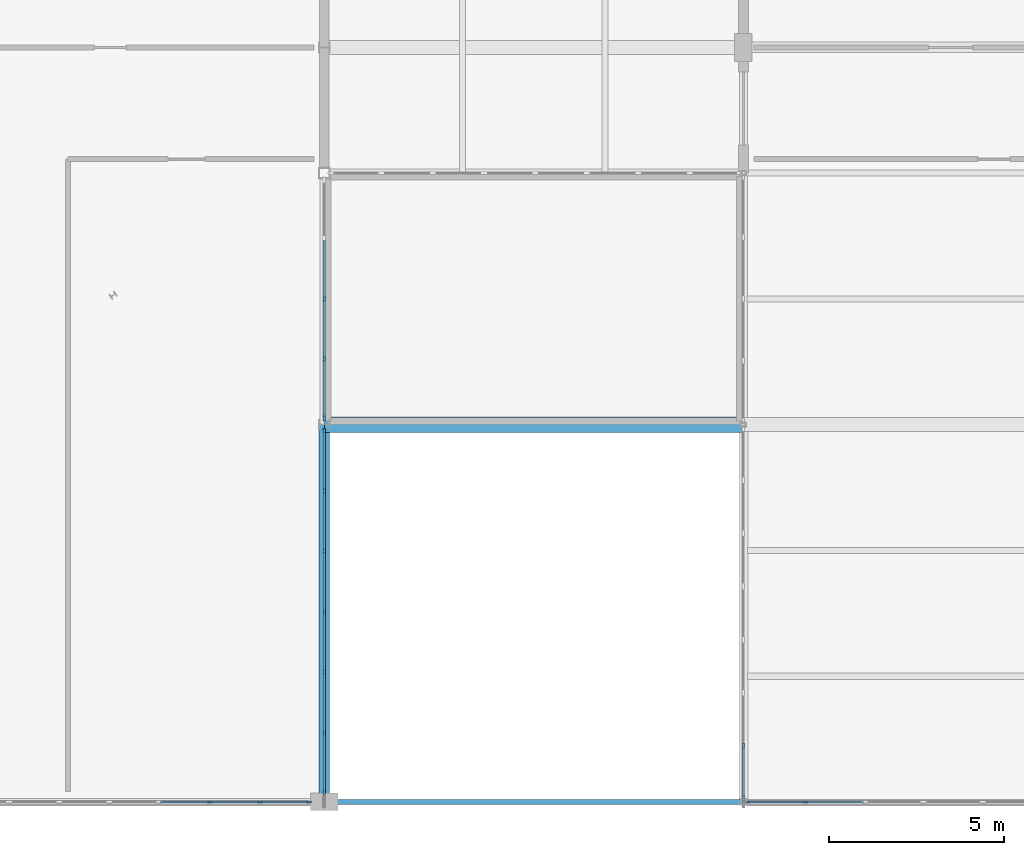
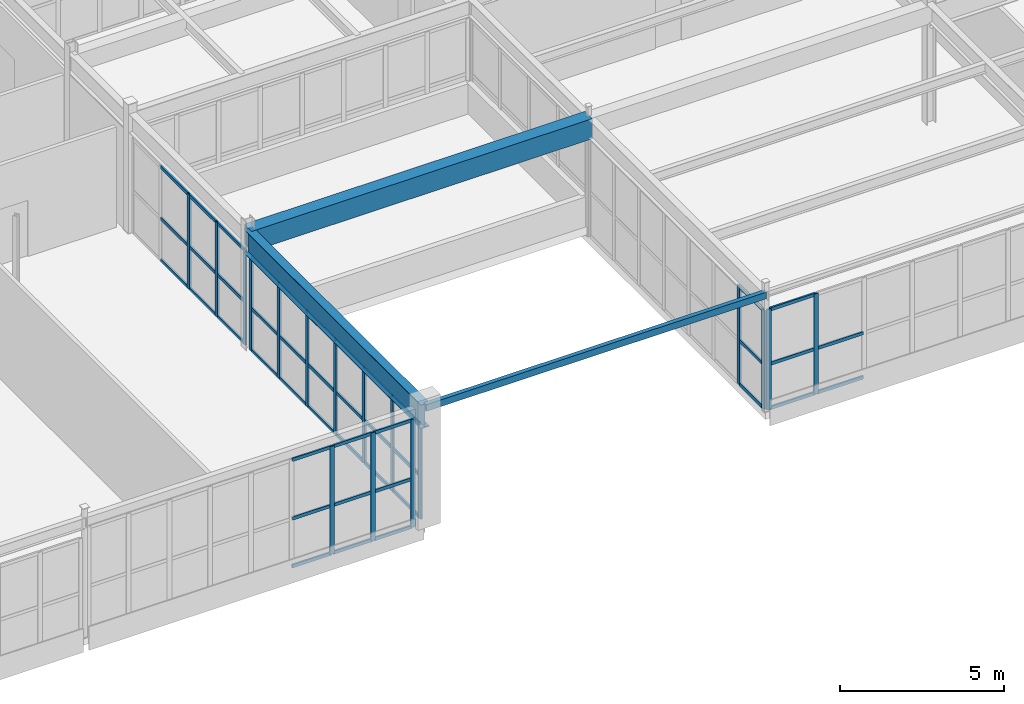
# One storey, part 105 of 226: 61 members, 3 beams, 5 elements without a shape of their own.
"""IFC4 building model written with IfcOpenShell, lengths in metres."""

from ifc_helpers import new_model, si_unit, direction, frame, origin, origin_2d, place, context, subcontext, project, spatial, rectangle, hollow_rectangle, i_section, extrude, material, layer, layer_set, material_profile, profile_set, type_object, element, aggregate, save


model = new_model("IFC4")

# Units and contexts
model_context = context("Model", 3, precision=1e-05, world=origin(), true_north=direction((0.0, 1.0)))
body_context = subcontext(model_context, "Body", "Model", "MODEL_VIEW")
ifc_project = project(units=[si_unit("LENGTHUNIT", "METRE"), si_unit("AREAUNIT", "SQUARE_METRE"), si_unit("VOLUMEUNIT", "CUBIC_METRE"), si_unit("PLANEANGLEUNIT", "RADIAN"), si_unit("MASSUNIT", "GRAM", prefix="KILO")], contexts=[model_context])

# Site, building, storey
site_placement = place(None, origin())
site = spatial("IfcSite", under=ifc_project, at=site_placement, CompositionType="ELEMENT")
building_placement = place(site_placement, origin())
building = spatial("IfcBuilding", under=site, at=building_placement, Name="Tarnwether General Hospital", CompositionType="ELEMENT")
storey_placement = place(building_placement, frame((0.0, 0.0, 4.800048828125)))
storey = spatial("IfcBuildingStorey", under=building, at=storey_placement, Name="L01", CompositionType="ELEMENT", Elevation=4.800048828125)

# Beams
ifc_material_1 = material(Name="Steel Grade 350 (350 MPa)", Category="steel")
ifc_material_profile_1 = material_profile(ifc_material_1, i_section(OverallWidth=0.300048828125, OverallDepth=0.89990234375, WebThickness=0.011962890625, FlangeThickness=0.02001953125, at=origin_2d()), Name="900WB175")
ifc_profile_set_1 = profile_set([ifc_material_profile_1], Name="Steel Grade 350 (350 MPa)")
beam_type_1 = type_object("IfcBeamType", Name="BM-G01", PredefinedType="BEAM", material=ifc_profile_set_1)
beam_1_placement = place(storey_placement, frame((132.0, 0.0, 3.994873046875), z_axis=(0.0, 1.0, 0.0), x_axis=(-1.0, 0.0, 0.0)))
element("IfcBeam", 1, at=beam_1_placement, inside=storey, type_object=beam_type_1, Name="Primary Girder BMG-L01-13200_0-13200_1080-1193", PredefinedType="BEAM", context=body_context, shape_type="SweptSolid", body=[
    extrude(i_section(OverallWidth=0.300048828125, OverallDepth=0.89990234375, WebThickness=0.011962890625, FlangeThickness=0.02001953125, at=origin_2d()), origin(), (0.0, 0.0, 1.0), 10.800048828125),
])
ifc_material_2 = material(Name="Concrete 40 MPa", Category="concrete")
ifc_material_profile_2 = material_profile(ifc_material_2, rectangle(XDim=0.449951171875, YDim=0.75, at=origin_2d()), Name="RC-BM-450x750")
ifc_profile_set_2 = profile_set([ifc_material_profile_2], Name="Concrete 40 MPa")
beam_type_2 = type_object("IfcBeamType", Name="BM-G13", PredefinedType="BEAM", material=ifc_profile_set_2)
beam_2_placement = place(storey_placement, frame((132.0, 10.800048828125, 4.070068359375), z_axis=(1.0, 0.0, 0.0), x_axis=(0.0, 1.0, 0.0)))
element("IfcBeam", 2, at=beam_2_placement, inside=storey, type_object=beam_type_2, Name="Primary Girder BMG-L01-13200_1080-14400_1080-1194", PredefinedType="BEAM", context=body_context, shape_type="SweptSolid", body=[
    extrude(rectangle(XDim=0.449951171875, YDim=0.75, at=origin_2d()), origin(), (0.0, 0.0, 1.0), 12.0),
])
ifc_material_3 = material(Name="Steel Grade C350L0 (350 MPa)", Category="steel")
ifc_material_profile_3 = material_profile(ifc_material_3, hollow_rectangle(XDim=0.14990234375, YDim=0.25, WallThickness=0.010009765625, at=origin_2d()), Name="RHS250x150x10")
ifc_profile_set_3 = profile_set([ifc_material_profile_3], Name="Steel Grade C350L0 (350 MPa)")
beam_type_3 = type_object("IfcBeamType", Name="BM-SP4", PredefinedType="SPANDREL", material=ifc_profile_set_3)
beam_3_placement = place(storey_placement, frame((132.0, 0.0, 4.320068359375), z_axis=(1.0, 0.0, 0.0), x_axis=(0.0, 1.0, 0.0)))
element("IfcBeam", 3, at=beam_3_placement, inside=storey, type_object=beam_type_3, Name="Primary Girder BMG-L01-13200_0-14400_0-1192", PredefinedType="SPANDREL", context=body_context, shape_type="SweptSolid", body=[
    extrude(hollow_rectangle(XDim=0.14990234375, YDim=0.25, WallThickness=0.010009765625, at=origin_2d()), origin(), (0.0, 0.0, 1.0), 12.0),
])

# Curtain wall, members
ifc_material_4 = material(Name="Anodised aluminium", Category="aluminium")
ifc_layer_1 = layer(ifc_material_4, 0.159912109375)
ifc_layer_set_1 = layer_set([ifc_layer_1], Name="Anodised aluminium")
curtain_wall_type_1 = type_object("IfcCurtainWallType", Name="CW-13", PredefinedType="NOTDEFINED", material=ifc_layer_set_1)
curtain_wall_1_placement = place(storey_placement, origin())
curtain_wall_1 = element("IfcCurtainWall", 4, at=curtain_wall_1_placement, inside=storey, type_object=curtain_wall_type_1, Name="Curtain Wall CWG-L01-1316_0-0329", PredefinedType="NOTDEFINED")
ifc_material_5 = material(Name="Anodised aluminium", Category="aluminium")
ifc_material_profile_4 = material_profile(ifc_material_5, rectangle(XDim=0.06005859375, YDim=0.159912109375, at=origin_2d()), Name="ALU-MUL-60x160")
ifc_profile_set_4 = profile_set([ifc_material_profile_4], Name="Anodised aluminium")
member_type_1 = type_object("IfcMemberType", Name="CW-ML1", PredefinedType="MULLION", material=ifc_profile_set_4)
member_1_placement = place(storey_placement, frame((131.56201171875, 0.0, 0.0), z_axis=(0.0, 0.0, 1.0), x_axis=(0.0, -1.0, 0.0)))
member_1 = element("IfcMember", 5, at=member_1_placement, type_object=member_type_1, Name="CW-13 mullion 1", PredefinedType="MULLION", context=body_context, shape_type="SweptSolid", body=[
    extrude(rectangle(XDim=0.06005859375, YDim=0.159912109375, at=origin_2d()), origin(), (0.0, 0.0, 1.0), 4.02685546875),
])
member_2_placement = place(storey_placement, frame((130.156005859375, 0.0, 0.0), z_axis=(0.0, 0.0, 1.0), x_axis=(0.0, -1.0, 0.0)))
member_2 = element("IfcMember", 6, at=member_2_placement, type_object=member_type_1, Name="CW-13 mullion 2", PredefinedType="MULLION", context=body_context, shape_type="SweptSolid", body=[
    extrude(rectangle(XDim=0.06005859375, YDim=0.159912109375, at=origin_2d()), origin(), (0.0, 0.0, 1.0), 4.02685546875),
])
member_3_placement = place(storey_placement, frame((128.72021484375, 0.0, 0.0), z_axis=(0.0, 0.0, 1.0), x_axis=(0.0, -1.0, 0.0)))
member_3 = element("IfcMember", 7, at=member_3_placement, type_object=member_type_1, Name="CW-13 mullion 3", PredefinedType="MULLION", context=body_context, shape_type="SweptSolid", body=[
    extrude(rectangle(XDim=0.06005859375, YDim=0.159912109375, at=origin_2d()), origin(), (0.0, 0.0, 1.0), 4.02685546875),
])

ifc_material_6 = material(Name="Anodised aluminium", Category="aluminium")
ifc_layer_2 = layer(ifc_material_6, 0.159912109375)
ifc_layer_set_2 = layer_set([ifc_layer_2], Name="Anodised aluminium")
curtain_wall_type_2 = type_object("IfcCurtainWallType", Name="CW-15", PredefinedType="NOTDEFINED", material=ifc_layer_set_2)
curtain_wall_2_placement = place(storey_placement, origin())
curtain_wall_2 = element("IfcCurtainWall", 8, at=curtain_wall_2_placement, inside=storey, type_object=curtain_wall_type_2, Name="Curtain Wall CWG-L01-1320_178-0361", PredefinedType="NOTDEFINED")
member_4_placement = place(storey_placement, frame((132.0, 14.402099609375, 0.0), z_axis=(0.0, 0.0, 1.0), x_axis=(1.0, 0.0, 0.0)))
member_4 = element("IfcMember", 9, at=member_4_placement, type_object=member_type_1, Name="CW-15 mullion 3", PredefinedType="MULLION", context=body_context, shape_type="SweptSolid", body=[
    extrude(rectangle(XDim=0.06005859375, YDim=0.159912109375, at=origin_2d()), origin(), (0.0, 0.0, 1.0), 3.530029296875),
])
member_5_placement = place(storey_placement, frame((132.0, 12.681884765625, 0.0), z_axis=(0.0, 0.0, 1.0), x_axis=(1.0, 0.0, 0.0)))
member_5 = element("IfcMember", 10, at=member_5_placement, type_object=member_type_1, Name="CW-15 mullion 4", PredefinedType="MULLION", context=body_context, shape_type="SweptSolid", body=[
    extrude(rectangle(XDim=0.06005859375, YDim=0.159912109375, at=origin_2d()), origin(), (0.0, 0.0, 1.0), 3.530029296875),
])
member_6_placement = place(storey_placement, frame((132.0, 10.991943359375, 0.0), z_axis=(0.0, 0.0, 1.0), x_axis=(1.0, 0.0, 0.0)))
member_6 = element("IfcMember", 11, at=member_6_placement, type_object=member_type_1, Name="CW-15 mullion 5", PredefinedType="MULLION", context=body_context, shape_type="SweptSolid", body=[
    extrude(rectangle(XDim=0.06005859375, YDim=0.159912109375, at=origin_2d()), origin(), (0.0, 0.0, 1.0), 3.530029296875),
])

curtain_wall_3_placement = place(storey_placement, origin())
curtain_wall_3 = element("IfcCurtainWall", 12, at=curtain_wall_3_placement, inside=storey, type_object=curtain_wall_type_2, Name="Curtain Wall CWG-L01-1320_106-0362", PredefinedType="NOTDEFINED")
member_7_placement = place(storey_placement, frame((132.0, 10.60888671875, 0.0), z_axis=(0.0, 0.0, 1.0), x_axis=(1.0, 0.0, 0.0)))
member_7 = element("IfcMember", 13, at=member_7_placement, type_object=member_type_1, Name="CW-15 mullion 1", PredefinedType="MULLION", context=body_context, shape_type="SweptSolid", body=[
    extrude(rectangle(XDim=0.06005859375, YDim=0.159912109375, at=origin_2d()), origin(), (0.0, 0.0, 1.0), 3.530029296875),
])
member_8_placement = place(storey_placement, frame((132.0, 8.908935546875, 0.0), z_axis=(0.0, 0.0, 1.0), x_axis=(1.0, 0.0, 0.0)))
member_8 = element("IfcMember", 14, at=member_8_placement, type_object=member_type_1, Name="CW-15 mullion 2", PredefinedType="MULLION", context=body_context, shape_type="SweptSolid", body=[
    extrude(rectangle(XDim=0.06005859375, YDim=0.159912109375, at=origin_2d()), origin(), (0.0, 0.0, 1.0), 3.530029296875),
])
member_9_placement = place(storey_placement, frame((132.0, 7.1787109375, 0.0), z_axis=(0.0, 0.0, 1.0), x_axis=(1.0, 0.0, 0.0)))
member_9 = element("IfcMember", 15, at=member_9_placement, type_object=member_type_1, Name="CW-15 mullion 3", PredefinedType="MULLION", context=body_context, shape_type="SweptSolid", body=[
    extrude(rectangle(XDim=0.06005859375, YDim=0.159912109375, at=origin_2d()), origin(), (0.0, 0.0, 1.0), 3.530029296875),
])
member_10_placement = place(storey_placement, frame((132.0, 5.448486328125, 0.0), z_axis=(0.0, 0.0, 1.0), x_axis=(1.0, 0.0, 0.0)))
member_10 = element("IfcMember", 16, at=member_10_placement, type_object=member_type_1, Name="CW-15 mullion 4", PredefinedType="MULLION", context=body_context, shape_type="SweptSolid", body=[
    extrude(rectangle(XDim=0.06005859375, YDim=0.159912109375, at=origin_2d()), origin(), (0.0, 0.0, 1.0), 3.530029296875),
])
member_11_placement = place(storey_placement, frame((132.0, 3.71826171875, 0.0), z_axis=(0.0, 0.0, 1.0), x_axis=(1.0, 0.0, 0.0)))
member_11 = element("IfcMember", 17, at=member_11_placement, type_object=member_type_1, Name="CW-15 mullion 5", PredefinedType="MULLION", context=body_context, shape_type="SweptSolid", body=[
    extrude(rectangle(XDim=0.06005859375, YDim=0.159912109375, at=origin_2d()), origin(), (0.0, 0.0, 1.0), 3.530029296875),
])
member_12_placement = place(storey_placement, frame((132.0, 1.98828125, 0.0), z_axis=(0.0, 0.0, 1.0), x_axis=(1.0, 0.0, 0.0)))
member_12 = element("IfcMember", 18, at=member_12_placement, type_object=member_type_1, Name="CW-15 mullion 6", PredefinedType="MULLION", context=body_context, shape_type="SweptSolid", body=[
    extrude(rectangle(XDim=0.06005859375, YDim=0.159912109375, at=origin_2d()), origin(), (0.0, 0.0, 1.0), 3.530029296875),
])
member_13_placement = place(storey_placement, frame((132.0, 0.2880859375, 0.0), z_axis=(0.0, 0.0, 1.0), x_axis=(1.0, 0.0, 0.0)))
member_13 = element("IfcMember", 19, at=member_13_placement, type_object=member_type_1, Name="CW-15 mullion 7", PredefinedType="MULLION", context=body_context, shape_type="SweptSolid", body=[
    extrude(rectangle(XDim=0.06005859375, YDim=0.159912109375, at=origin_2d()), origin(), (0.0, 0.0, 1.0), 3.530029296875),
])

curtain_wall_4_placement = place(storey_placement, origin())
curtain_wall_4 = element("IfcCurtainWall", 20, at=curtain_wall_4_placement, inside=storey, type_object=curtain_wall_type_2, Name="Curtain Wall CWG-L01-1440_1-0363", PredefinedType="NOTDEFINED")
member_14_placement = place(storey_placement, frame((144.0, 0.113037109375, 0.0), z_axis=(0.0, 0.0, 1.0), x_axis=(-1.0, 0.0, 0.0)))
member_14 = element("IfcMember", 21, at=member_14_placement, type_object=member_type_1, Name="CW-15 mullion 1", PredefinedType="MULLION", context=body_context, shape_type="SweptSolid", body=[
    extrude(rectangle(XDim=0.06005859375, YDim=0.159912109375, at=origin_2d()), origin(), (0.0, 0.0, 1.0), 3.679931640625),
])
member_15_placement = place(storey_placement, frame((144.0, 1.60400390625, 0.0), z_axis=(0.0, 0.0, 1.0), x_axis=(-1.0, 0.0, 0.0)))
member_15 = element("IfcMember", 22, at=member_15_placement, type_object=member_type_1, Name="CW-15 mullion 2", PredefinedType="MULLION", context=body_context, shape_type="SweptSolid", body=[
    extrude(rectangle(XDim=0.06005859375, YDim=0.159912109375, at=origin_2d()), origin(), (0.0, 0.0, 1.0), 3.679931640625),
])

ifc_material_7 = material(Name="Anodised aluminium", Category="aluminium")
ifc_layer_3 = layer(ifc_material_7, 0.159912109375)
ifc_layer_set_3 = layer_set([ifc_layer_3], Name="Anodised aluminium")
curtain_wall_type_3 = type_object("IfcCurtainWallType", Name="CW-19", PredefinedType="NOTDEFINED", material=ifc_layer_set_3)
curtain_wall_5_placement = place(storey_placement, origin())
curtain_wall_5 = element("IfcCurtainWall", 23, at=curtain_wall_5_placement, inside=storey, type_object=curtain_wall_type_3, Name="Curtain Wall CWG-L01-1559_0-0386", PredefinedType="NOTDEFINED")
member_16_placement = place(storey_placement, frame((145.773681640625, 0.0, 0.0), z_axis=(0.0, 0.0, 1.0), x_axis=(0.0, -1.0, 0.0)))
member_16 = element("IfcMember", 24, at=member_16_placement, type_object=member_type_1, Name="CW-19 mullion 7", PredefinedType="MULLION", context=body_context, shape_type="SweptSolid", body=[
    extrude(rectangle(XDim=0.06005859375, YDim=0.159912109375, at=origin_2d()), origin(), (0.0, 0.0, 1.0), 3.738037109375),
])
member_17_placement = place(storey_placement, frame((144.113037109375, 0.0, 0.0), z_axis=(0.0, 0.0, 1.0), x_axis=(0.0, -1.0, 0.0)))
member_17 = element("IfcMember", 25, at=member_17_placement, type_object=member_type_1, Name="CW-19 mullion 8", PredefinedType="MULLION", context=body_context, shape_type="SweptSolid", body=[
    extrude(rectangle(XDim=0.06005859375, YDim=0.159912109375, at=origin_2d()), origin(), (0.0, 0.0, 1.0), 3.738037109375),
])

# Member
ifc_material_8 = material(Name="Anodised aluminium", Category="aluminium")
ifc_material_profile_5 = material_profile(ifc_material_8, rectangle(XDim=0.06005859375, YDim=0.1201171875, at=origin_2d()), Name="ALU-TRN-60x120")
ifc_profile_set_5 = profile_set([ifc_material_profile_5], Name="Anodised aluminium")
member_type_2 = type_object("IfcMemberType", Name="CW-TR1", PredefinedType="USERDEFINED", material=ifc_profile_set_5)
member_18_placement = place(storey_placement, frame((131.531982421875, 0.0, 0.030029296875), z_axis=(-1.0, 0.0, 0.0), x_axis=(0.0, -1.0, 0.0)))
member_18 = element("IfcMember", 26, at=member_18_placement, type_object=member_type_2, Name="CW-13 transom 1.1", ObjectType="TRANSOM", PredefinedType="USERDEFINED", context=body_context, shape_type="SweptSolid", body=[
    extrude(rectangle(XDim=0.06005859375, YDim=0.1201171875, at=origin_2d()), origin(), (0.0, 0.0, 1.0), 1.345947265625),
])

member_19_placement = place(storey_placement, frame((131.531982421875, 0.0, 1.81201171875), z_axis=(-1.0, 0.0, 0.0), x_axis=(0.0, -1.0, 0.0)))
member_19 = element("IfcMember", 27, at=member_19_placement, type_object=member_type_2, Name="CW-13 transom 1.2", ObjectType="TRANSOM", PredefinedType="USERDEFINED", context=body_context, shape_type="SweptSolid", body=[
    extrude(rectangle(XDim=0.06005859375, YDim=0.1201171875, at=origin_2d()), origin(), (0.0, 0.0, 1.0), 1.345947265625),
])

member_20_placement = place(storey_placement, frame((131.531982421875, 0.0, 3.9970703125), z_axis=(-1.0, 0.0, 0.0), x_axis=(0.0, -1.0, 0.0)))
member_20 = element("IfcMember", 28, at=member_20_placement, type_object=member_type_2, Name="CW-13 transom 1.3", ObjectType="TRANSOM", PredefinedType="USERDEFINED", context=body_context, shape_type="SweptSolid", body=[
    extrude(rectangle(XDim=0.06005859375, YDim=0.1201171875, at=origin_2d()), origin(), (0.0, 0.0, 1.0), 1.345947265625),
])

member_21_placement = place(storey_placement, frame((130.126220703125, 0.0, 0.030029296875), z_axis=(-1.0, 0.0, 0.0), x_axis=(0.0, -1.0, 0.0)))
member_21 = element("IfcMember", 29, at=member_21_placement, type_object=member_type_2, Name="CW-13 transom 2.1", ObjectType="TRANSOM", PredefinedType="USERDEFINED", context=body_context, shape_type="SweptSolid", body=[
    extrude(rectangle(XDim=0.06005859375, YDim=0.1201171875, at=origin_2d()), origin(), (0.0, 0.0, 1.0), 1.3759765625),
])

member_22_placement = place(storey_placement, frame((130.126220703125, 0.0, 1.81201171875), z_axis=(-1.0, 0.0, 0.0), x_axis=(0.0, -1.0, 0.0)))
member_22 = element("IfcMember", 30, at=member_22_placement, type_object=member_type_2, Name="CW-13 transom 2.2", ObjectType="TRANSOM", PredefinedType="USERDEFINED", context=body_context, shape_type="SweptSolid", body=[
    extrude(rectangle(XDim=0.06005859375, YDim=0.1201171875, at=origin_2d()), origin(), (0.0, 0.0, 1.0), 1.3759765625),
])

member_23_placement = place(storey_placement, frame((130.126220703125, 0.0, 3.9970703125), z_axis=(-1.0, 0.0, 0.0), x_axis=(0.0, -1.0, 0.0)))
member_23 = element("IfcMember", 31, at=member_23_placement, type_object=member_type_2, Name="CW-13 transom 2.3", ObjectType="TRANSOM", PredefinedType="USERDEFINED", context=body_context, shape_type="SweptSolid", body=[
    extrude(rectangle(XDim=0.06005859375, YDim=0.1201171875, at=origin_2d()), origin(), (0.0, 0.0, 1.0), 1.3759765625),
])

member_24_placement = place(storey_placement, frame((128.690185546875, 0.0, 0.030029296875), z_axis=(-1.0, 0.0, 0.0), x_axis=(0.0, -1.0, 0.0)))
member_24 = element("IfcMember", 32, at=member_24_placement, type_object=member_type_2, Name="CW-13 transom 3.1", ObjectType="TRANSOM", PredefinedType="USERDEFINED", context=body_context, shape_type="SweptSolid", body=[
    extrude(rectangle(XDim=0.06005859375, YDim=0.1201171875, at=origin_2d()), origin(), (0.0, 0.0, 1.0), 1.375732421875),
])

member_25_placement = place(storey_placement, frame((128.690185546875, 0.0, 1.81201171875), z_axis=(-1.0, 0.0, 0.0), x_axis=(0.0, -1.0, 0.0)))
member_25 = element("IfcMember", 33, at=member_25_placement, type_object=member_type_2, Name="CW-13 transom 3.2", ObjectType="TRANSOM", PredefinedType="USERDEFINED", context=body_context, shape_type="SweptSolid", body=[
    extrude(rectangle(XDim=0.06005859375, YDim=0.1201171875, at=origin_2d()), origin(), (0.0, 0.0, 1.0), 1.375732421875),
])

member_26_placement = place(storey_placement, frame((128.690185546875, 0.0, 3.9970703125), z_axis=(-1.0, 0.0, 0.0), x_axis=(0.0, -1.0, 0.0)))
member_26 = element("IfcMember", 34, at=member_26_placement, type_object=member_type_2, Name="CW-13 transom 3.3", ObjectType="TRANSOM", PredefinedType="USERDEFINED", context=body_context, shape_type="SweptSolid", body=[
    extrude(rectangle(XDim=0.06005859375, YDim=0.1201171875, at=origin_2d()), origin(), (0.0, 0.0, 1.0), 1.375732421875),
])

aggregate(curtain_wall_1, [member_1, member_2, member_3, member_18, member_19, member_20, member_21, member_22, member_23, member_24, member_25, member_26])

member_27_placement = place(storey_placement, frame((132.0, 16.092041015625, 0.030029296875), z_axis=(0.0, -1.0, 0.0), x_axis=(1.0, 0.0, 0.0)))
member_27 = element("IfcMember", 35, at=member_27_placement, type_object=member_type_2, Name="CW-15 transom 2.1", ObjectType="TRANSOM", PredefinedType="USERDEFINED", context=body_context, shape_type="SweptSolid", body=[
    extrude(rectangle(XDim=0.06005859375, YDim=0.1201171875, at=origin_2d()), origin(), (0.0, 0.0, 1.0), 1.66015625),
])

member_28_placement = place(storey_placement, frame((132.0, 16.092041015625, 1.58837890625), z_axis=(0.0, -1.0, 0.0), x_axis=(1.0, 0.0, 0.0)))
member_28 = element("IfcMember", 36, at=member_28_placement, type_object=member_type_2, Name="CW-15 transom 2.2", ObjectType="TRANSOM", PredefinedType="USERDEFINED", context=body_context, shape_type="SweptSolid", body=[
    extrude(rectangle(XDim=0.06005859375, YDim=0.1201171875, at=origin_2d()), origin(), (0.0, 0.0, 1.0), 1.66015625),
])

member_29_placement = place(storey_placement, frame((132.0, 16.092041015625, 3.5), z_axis=(0.0, -1.0, 0.0), x_axis=(1.0, 0.0, 0.0)))
member_29 = element("IfcMember", 37, at=member_29_placement, type_object=member_type_2, Name="CW-15 transom 2.3", ObjectType="TRANSOM", PredefinedType="USERDEFINED", context=body_context, shape_type="SweptSolid", body=[
    extrude(rectangle(XDim=0.06005859375, YDim=0.1201171875, at=origin_2d()), origin(), (0.0, 0.0, 1.0), 1.66015625),
])

member_30_placement = place(storey_placement, frame((132.0, 14.3720703125, 0.030029296875), z_axis=(0.0, -1.0, 0.0), x_axis=(1.0, 0.0, 0.0)))
member_30 = element("IfcMember", 38, at=member_30_placement, type_object=member_type_2, Name="CW-15 transom 3.1", ObjectType="TRANSOM", PredefinedType="USERDEFINED", context=body_context, shape_type="SweptSolid", body=[
    extrude(rectangle(XDim=0.06005859375, YDim=0.1201171875, at=origin_2d()), origin(), (0.0, 0.0, 1.0), 1.66015625),
])

member_31_placement = place(storey_placement, frame((132.0, 14.3720703125, 1.58837890625), z_axis=(0.0, -1.0, 0.0), x_axis=(1.0, 0.0, 0.0)))
member_31 = element("IfcMember", 39, at=member_31_placement, type_object=member_type_2, Name="CW-15 transom 3.2", ObjectType="TRANSOM", PredefinedType="USERDEFINED", context=body_context, shape_type="SweptSolid", body=[
    extrude(rectangle(XDim=0.06005859375, YDim=0.1201171875, at=origin_2d()), origin(), (0.0, 0.0, 1.0), 1.66015625),
])

member_32_placement = place(storey_placement, frame((132.0, 14.3720703125, 3.5), z_axis=(0.0, -1.0, 0.0), x_axis=(1.0, 0.0, 0.0)))
member_32 = element("IfcMember", 40, at=member_32_placement, type_object=member_type_2, Name="CW-15 transom 3.3", ObjectType="TRANSOM", PredefinedType="USERDEFINED", context=body_context, shape_type="SweptSolid", body=[
    extrude(rectangle(XDim=0.06005859375, YDim=0.1201171875, at=origin_2d()), origin(), (0.0, 0.0, 1.0), 1.66015625),
])

member_33_placement = place(storey_placement, frame((132.0, 12.652099609375, 0.030029296875), z_axis=(0.0, -1.0, 0.0), x_axis=(1.0, 0.0, 0.0)))
member_33 = element("IfcMember", 41, at=member_33_placement, type_object=member_type_2, Name="CW-15 transom 4.1", ObjectType="TRANSOM", PredefinedType="USERDEFINED", context=body_context, shape_type="SweptSolid", body=[
    extrude(rectangle(XDim=0.06005859375, YDim=0.1201171875, at=origin_2d()), origin(), (0.0, 0.0, 1.0), 1.630126953125),
])

member_34_placement = place(storey_placement, frame((132.0, 12.652099609375, 1.58837890625), z_axis=(0.0, -1.0, 0.0), x_axis=(1.0, 0.0, 0.0)))
member_34 = element("IfcMember", 42, at=member_34_placement, type_object=member_type_2, Name="CW-15 transom 4.2", ObjectType="TRANSOM", PredefinedType="USERDEFINED", context=body_context, shape_type="SweptSolid", body=[
    extrude(rectangle(XDim=0.06005859375, YDim=0.1201171875, at=origin_2d()), origin(), (0.0, 0.0, 1.0), 1.630126953125),
])

member_35_placement = place(storey_placement, frame((132.0, 12.652099609375, 3.5), z_axis=(0.0, -1.0, 0.0), x_axis=(1.0, 0.0, 0.0)))
member_35 = element("IfcMember", 43, at=member_35_placement, type_object=member_type_2, Name="CW-15 transom 4.3", ObjectType="TRANSOM", PredefinedType="USERDEFINED", context=body_context, shape_type="SweptSolid", body=[
    extrude(rectangle(XDim=0.06005859375, YDim=0.1201171875, at=origin_2d()), origin(), (0.0, 0.0, 1.0), 1.630126953125),
])

aggregate(curtain_wall_2, [member_4, member_5, member_6, member_27, member_28, member_29, member_30, member_31, member_32, member_33, member_34, member_35])

member_36_placement = place(storey_placement, frame((132.0, 10.5791015625, 0.030029296875), z_axis=(0.0, -1.0, 0.0), x_axis=(1.0, 0.0, 0.0)))
member_36 = element("IfcMember", 44, at=member_36_placement, type_object=member_type_2, Name="CW-15 transom 1.1", ObjectType="TRANSOM", PredefinedType="USERDEFINED", context=body_context, shape_type="SweptSolid", body=[
    extrude(rectangle(XDim=0.06005859375, YDim=0.1201171875, at=origin_2d()), origin(), (0.0, 0.0, 1.0), 1.640380859375),
])

member_37_placement = place(storey_placement, frame((132.0, 10.5791015625, 1.58837890625), z_axis=(0.0, -1.0, 0.0), x_axis=(1.0, 0.0, 0.0)))
member_37 = element("IfcMember", 45, at=member_37_placement, type_object=member_type_2, Name="CW-15 transom 1.2", ObjectType="TRANSOM", PredefinedType="USERDEFINED", context=body_context, shape_type="SweptSolid", body=[
    extrude(rectangle(XDim=0.06005859375, YDim=0.1201171875, at=origin_2d()), origin(), (0.0, 0.0, 1.0), 1.640380859375),
])

member_38_placement = place(storey_placement, frame((132.0, 10.5791015625, 3.5), z_axis=(0.0, -1.0, 0.0), x_axis=(1.0, 0.0, 0.0)))
member_38 = element("IfcMember", 46, at=member_38_placement, type_object=member_type_2, Name="CW-15 transom 1.3", ObjectType="TRANSOM", PredefinedType="USERDEFINED", context=body_context, shape_type="SweptSolid", body=[
    extrude(rectangle(XDim=0.06005859375, YDim=0.1201171875, at=origin_2d()), origin(), (0.0, 0.0, 1.0), 1.640380859375),
])

member_39_placement = place(storey_placement, frame((132.0, 8.87890625, 0.030029296875), z_axis=(0.0, -1.0, 0.0), x_axis=(1.0, 0.0, 0.0)))
member_39 = element("IfcMember", 47, at=member_39_placement, type_object=member_type_2, Name="CW-15 transom 2.1", ObjectType="TRANSOM", PredefinedType="USERDEFINED", context=body_context, shape_type="SweptSolid", body=[
    extrude(rectangle(XDim=0.06005859375, YDim=0.1201171875, at=origin_2d()), origin(), (0.0, 0.0, 1.0), 1.670166015625),
])

member_40_placement = place(storey_placement, frame((132.0, 8.87890625, 1.58837890625), z_axis=(0.0, -1.0, 0.0), x_axis=(1.0, 0.0, 0.0)))
member_40 = element("IfcMember", 48, at=member_40_placement, type_object=member_type_2, Name="CW-15 transom 2.2", ObjectType="TRANSOM", PredefinedType="USERDEFINED", context=body_context, shape_type="SweptSolid", body=[
    extrude(rectangle(XDim=0.06005859375, YDim=0.1201171875, at=origin_2d()), origin(), (0.0, 0.0, 1.0), 1.670166015625),
])

member_41_placement = place(storey_placement, frame((132.0, 8.87890625, 3.5), z_axis=(0.0, -1.0, 0.0), x_axis=(1.0, 0.0, 0.0)))
member_41 = element("IfcMember", 49, at=member_41_placement, type_object=member_type_2, Name="CW-15 transom 2.3", ObjectType="TRANSOM", PredefinedType="USERDEFINED", context=body_context, shape_type="SweptSolid", body=[
    extrude(rectangle(XDim=0.06005859375, YDim=0.1201171875, at=origin_2d()), origin(), (0.0, 0.0, 1.0), 1.670166015625),
])

member_42_placement = place(storey_placement, frame((132.0, 7.148681640625, 0.030029296875), z_axis=(0.0, -1.0, 0.0), x_axis=(1.0, 0.0, 0.0)))
member_42 = element("IfcMember", 50, at=member_42_placement, type_object=member_type_2, Name="CW-15 transom 3.1", ObjectType="TRANSOM", PredefinedType="USERDEFINED", context=body_context, shape_type="SweptSolid", body=[
    extrude(rectangle(XDim=0.06005859375, YDim=0.1201171875, at=origin_2d()), origin(), (0.0, 0.0, 1.0), 1.670166015625),
])

member_43_placement = place(storey_placement, frame((132.0, 7.148681640625, 1.58837890625), z_axis=(0.0, -1.0, 0.0), x_axis=(1.0, 0.0, 0.0)))
member_43 = element("IfcMember", 51, at=member_43_placement, type_object=member_type_2, Name="CW-15 transom 3.2", ObjectType="TRANSOM", PredefinedType="USERDEFINED", context=body_context, shape_type="SweptSolid", body=[
    extrude(rectangle(XDim=0.06005859375, YDim=0.1201171875, at=origin_2d()), origin(), (0.0, 0.0, 1.0), 1.670166015625),
])

member_44_placement = place(storey_placement, frame((132.0, 7.148681640625, 3.5), z_axis=(0.0, -1.0, 0.0), x_axis=(1.0, 0.0, 0.0)))
member_44 = element("IfcMember", 52, at=member_44_placement, type_object=member_type_2, Name="CW-15 transom 3.3", ObjectType="TRANSOM", PredefinedType="USERDEFINED", context=body_context, shape_type="SweptSolid", body=[
    extrude(rectangle(XDim=0.06005859375, YDim=0.1201171875, at=origin_2d()), origin(), (0.0, 0.0, 1.0), 1.670166015625),
])

member_45_placement = place(storey_placement, frame((132.0, 5.41845703125, 0.030029296875), z_axis=(0.0, -1.0, 0.0), x_axis=(1.0, 0.0, 0.0)))
member_45 = element("IfcMember", 53, at=member_45_placement, type_object=member_type_2, Name="CW-15 transom 4.1", ObjectType="TRANSOM", PredefinedType="USERDEFINED", context=body_context, shape_type="SweptSolid", body=[
    extrude(rectangle(XDim=0.06005859375, YDim=0.1201171875, at=origin_2d()), origin(), (0.0, 0.0, 1.0), 1.670166015625),
])

member_46_placement = place(storey_placement, frame((132.0, 5.41845703125, 1.58837890625), z_axis=(0.0, -1.0, 0.0), x_axis=(1.0, 0.0, 0.0)))
member_46 = element("IfcMember", 54, at=member_46_placement, type_object=member_type_2, Name="CW-15 transom 4.2", ObjectType="TRANSOM", PredefinedType="USERDEFINED", context=body_context, shape_type="SweptSolid", body=[
    extrude(rectangle(XDim=0.06005859375, YDim=0.1201171875, at=origin_2d()), origin(), (0.0, 0.0, 1.0), 1.670166015625),
])

member_47_placement = place(storey_placement, frame((132.0, 5.41845703125, 3.5), z_axis=(0.0, -1.0, 0.0), x_axis=(1.0, 0.0, 0.0)))
member_47 = element("IfcMember", 55, at=member_47_placement, type_object=member_type_2, Name="CW-15 transom 4.3", ObjectType="TRANSOM", PredefinedType="USERDEFINED", context=body_context, shape_type="SweptSolid", body=[
    extrude(rectangle(XDim=0.06005859375, YDim=0.1201171875, at=origin_2d()), origin(), (0.0, 0.0, 1.0), 1.670166015625),
])

member_48_placement = place(storey_placement, frame((132.0, 3.688232421875, 0.030029296875), z_axis=(0.0, -1.0, 0.0), x_axis=(1.0, 0.0, 0.0)))
member_48 = element("IfcMember", 56, at=member_48_placement, type_object=member_type_2, Name="CW-15 transom 5.1", ObjectType="TRANSOM", PredefinedType="USERDEFINED", context=body_context, shape_type="SweptSolid", body=[
    extrude(rectangle(XDim=0.06005859375, YDim=0.1201171875, at=origin_2d()), origin(), (0.0, 0.0, 1.0), 1.670166015625),
])

member_49_placement = place(storey_placement, frame((132.0, 3.688232421875, 1.58837890625), z_axis=(0.0, -1.0, 0.0), x_axis=(1.0, 0.0, 0.0)))
member_49 = element("IfcMember", 57, at=member_49_placement, type_object=member_type_2, Name="CW-15 transom 5.2", ObjectType="TRANSOM", PredefinedType="USERDEFINED", context=body_context, shape_type="SweptSolid", body=[
    extrude(rectangle(XDim=0.06005859375, YDim=0.1201171875, at=origin_2d()), origin(), (0.0, 0.0, 1.0), 1.670166015625),
])

member_50_placement = place(storey_placement, frame((132.0, 3.688232421875, 3.5), z_axis=(0.0, -1.0, 0.0), x_axis=(1.0, 0.0, 0.0)))
member_50 = element("IfcMember", 58, at=member_50_placement, type_object=member_type_2, Name="CW-15 transom 5.3", ObjectType="TRANSOM", PredefinedType="USERDEFINED", context=body_context, shape_type="SweptSolid", body=[
    extrude(rectangle(XDim=0.06005859375, YDim=0.1201171875, at=origin_2d()), origin(), (0.0, 0.0, 1.0), 1.670166015625),
])

member_51_placement = place(storey_placement, frame((132.0, 1.958251953125, 0.030029296875), z_axis=(0.0, -1.0, 0.0), x_axis=(1.0, 0.0, 0.0)))
member_51 = element("IfcMember", 59, at=member_51_placement, type_object=member_type_2, Name="CW-15 transom 6.1", ObjectType="TRANSOM", PredefinedType="USERDEFINED", context=body_context, shape_type="SweptSolid", body=[
    extrude(rectangle(XDim=0.06005859375, YDim=0.1201171875, at=origin_2d()), origin(), (0.0, 0.0, 1.0), 1.64013671875),
])

member_52_placement = place(storey_placement, frame((132.0, 1.958251953125, 1.58837890625), z_axis=(0.0, -1.0, 0.0), x_axis=(1.0, 0.0, 0.0)))
member_52 = element("IfcMember", 60, at=member_52_placement, type_object=member_type_2, Name="CW-15 transom 6.2", ObjectType="TRANSOM", PredefinedType="USERDEFINED", context=body_context, shape_type="SweptSolid", body=[
    extrude(rectangle(XDim=0.06005859375, YDim=0.1201171875, at=origin_2d()), origin(), (0.0, 0.0, 1.0), 1.64013671875),
])

member_53_placement = place(storey_placement, frame((132.0, 1.958251953125, 3.5), z_axis=(0.0, -1.0, 0.0), x_axis=(1.0, 0.0, 0.0)))
member_53 = element("IfcMember", 61, at=member_53_placement, type_object=member_type_2, Name="CW-15 transom 6.3", ObjectType="TRANSOM", PredefinedType="USERDEFINED", context=body_context, shape_type="SweptSolid", body=[
    extrude(rectangle(XDim=0.06005859375, YDim=0.1201171875, at=origin_2d()), origin(), (0.0, 0.0, 1.0), 1.64013671875),
])

aggregate(curtain_wall_3, [member_7, member_8, member_9, member_10, member_11, member_12, member_13, member_36, member_37, member_38, member_39, member_40, member_41, member_42, member_43, member_44, member_45, member_46, member_47, member_48, member_49, member_50, member_51, member_52, member_53])

member_54_placement = place(storey_placement, frame((144.0, 0.14306640625, 0.030029296875), z_axis=(0.0, 1.0, 0.0), x_axis=(-1.0, 0.0, 0.0)))
member_54 = element("IfcMember", 62, at=member_54_placement, type_object=member_type_2, Name="CW-15 transom 1.1", ObjectType="TRANSOM", PredefinedType="USERDEFINED", context=body_context, shape_type="SweptSolid", body=[
    extrude(rectangle(XDim=0.06005859375, YDim=0.1201171875, at=origin_2d()), origin(), (0.0, 0.0, 1.0), 1.430908203125),
])

member_55_placement = place(storey_placement, frame((144.0, 0.14306640625, 1.656005859375), z_axis=(0.0, 1.0, 0.0), x_axis=(-1.0, 0.0, 0.0)))
member_55 = element("IfcMember", 63, at=member_55_placement, type_object=member_type_2, Name="CW-15 transom 1.2", ObjectType="TRANSOM", PredefinedType="USERDEFINED", context=body_context, shape_type="SweptSolid", body=[
    extrude(rectangle(XDim=0.06005859375, YDim=0.1201171875, at=origin_2d()), origin(), (0.0, 0.0, 1.0), 1.430908203125),
])

member_56_placement = place(storey_placement, frame((144.0, 0.14306640625, 3.64990234375), z_axis=(0.0, 1.0, 0.0), x_axis=(-1.0, 0.0, 0.0)))
member_56 = element("IfcMember", 64, at=member_56_placement, type_object=member_type_2, Name="CW-15 transom 1.3", ObjectType="TRANSOM", PredefinedType="USERDEFINED", context=body_context, shape_type="SweptSolid", body=[
    extrude(rectangle(XDim=0.06005859375, YDim=0.1201171875, at=origin_2d()), origin(), (0.0, 0.0, 1.0), 1.430908203125),
])

aggregate(curtain_wall_4, [member_14, member_15, member_54, member_55, member_56])

member_57_placement = place(storey_placement, frame((147.43408203125, 0.0, 0.030029296875), z_axis=(-1.0, 0.0, 0.0), x_axis=(0.0, -1.0, 0.0)))
member_57 = element("IfcMember", 65, at=member_57_placement, type_object=member_type_2, Name="CW-19 transom 6.1", ObjectType="TRANSOM", PredefinedType="USERDEFINED", context=body_context, shape_type="SweptSolid", body=[
    extrude(rectangle(XDim=0.06005859375, YDim=0.1201171875, at=origin_2d()), origin(), (0.0, 0.0, 1.0), 1.630615234375),
])

member_58_placement = place(storey_placement, frame((147.43408203125, 0.0, 1.68212890625), z_axis=(-1.0, 0.0, 0.0), x_axis=(0.0, -1.0, 0.0)))
member_58 = element("IfcMember", 66, at=member_58_placement, type_object=member_type_2, Name="CW-19 transom 6.2", ObjectType="TRANSOM", PredefinedType="USERDEFINED", context=body_context, shape_type="SweptSolid", body=[
    extrude(rectangle(XDim=0.06005859375, YDim=0.1201171875, at=origin_2d()), origin(), (0.0, 0.0, 1.0), 1.630615234375),
])

member_59_placement = place(storey_placement, frame((145.74365234375, 0.0, 0.030029296875), z_axis=(-1.0, 0.0, 0.0), x_axis=(0.0, -1.0, 0.0)))
member_59 = element("IfcMember", 67, at=member_59_placement, type_object=member_type_2, Name="CW-19 transom 7.1", ObjectType="TRANSOM", PredefinedType="USERDEFINED", context=body_context, shape_type="SweptSolid", body=[
    extrude(rectangle(XDim=0.06005859375, YDim=0.1201171875, at=origin_2d()), origin(), (0.0, 0.0, 1.0), 1.6005859375),
])

member_60_placement = place(storey_placement, frame((145.74365234375, 0.0, 1.68212890625), z_axis=(-1.0, 0.0, 0.0), x_axis=(0.0, -1.0, 0.0)))
member_60 = element("IfcMember", 68, at=member_60_placement, type_object=member_type_2, Name="CW-19 transom 7.2", ObjectType="TRANSOM", PredefinedType="USERDEFINED", context=body_context, shape_type="SweptSolid", body=[
    extrude(rectangle(XDim=0.06005859375, YDim=0.1201171875, at=origin_2d()), origin(), (0.0, 0.0, 1.0), 1.6005859375),
])

member_61_placement = place(storey_placement, frame((145.74365234375, 0.0, 3.7080078125), z_axis=(-1.0, 0.0, 0.0), x_axis=(0.0, -1.0, 0.0)))
member_61 = element("IfcMember", 69, at=member_61_placement, type_object=member_type_2, Name="CW-19 transom 7.3", ObjectType="TRANSOM", PredefinedType="USERDEFINED", context=body_context, shape_type="SweptSolid", body=[
    extrude(rectangle(XDim=0.06005859375, YDim=0.1201171875, at=origin_2d()), origin(), (0.0, 0.0, 1.0), 1.6005859375),
])

aggregate(curtain_wall_5, [member_16, member_17, member_57, member_58, member_59, member_60, member_61])

save(model, "model.ifc")
